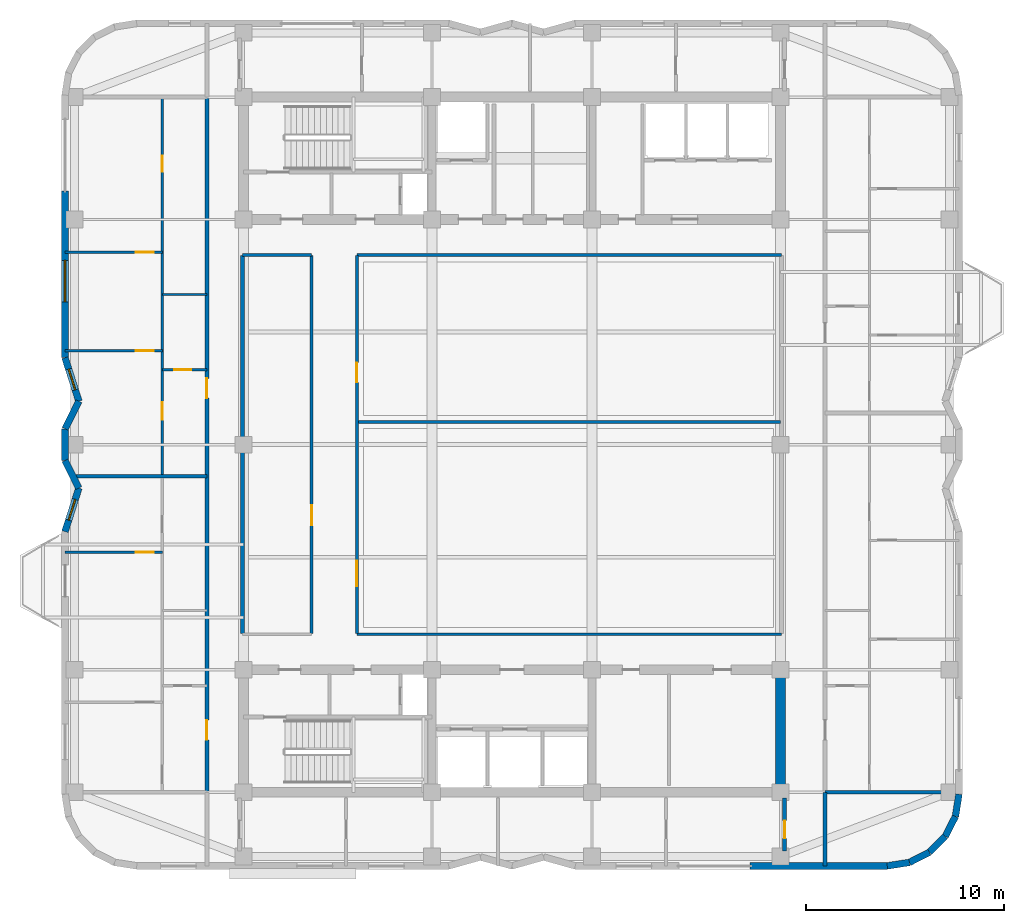
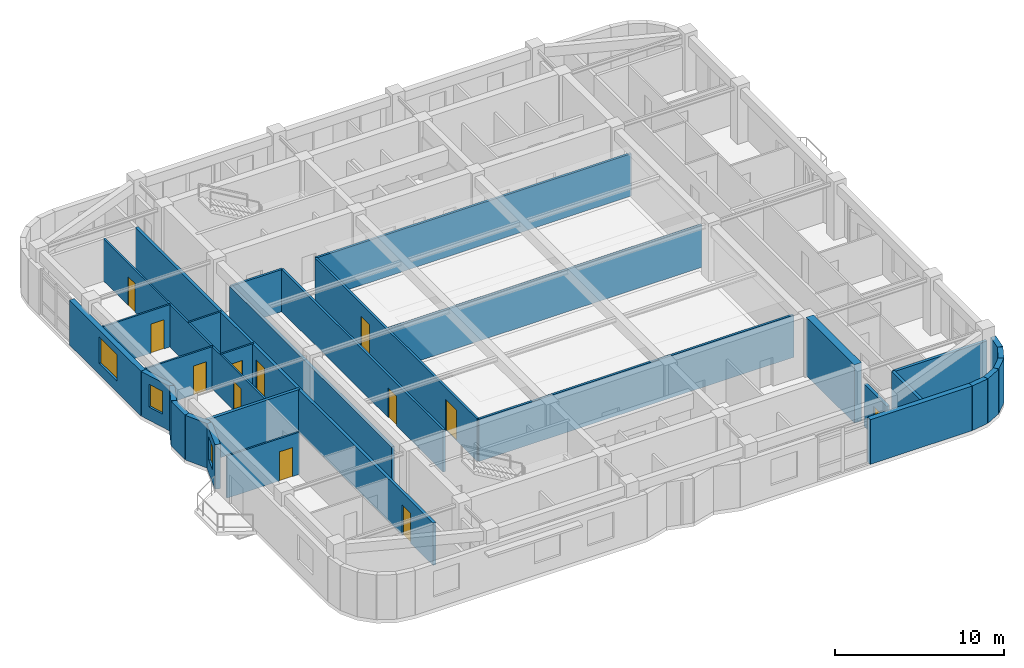
# One storey, part 6 of 11: 31 walls, 12 doors, 3 windows, 15 openings.
"""IFC4 building model written with IfcOpenShell, lengths in metres."""

from ifc_helpers import new_model, si_unit, direction, frame, frame_2d, origin, place, context, subcontext, project, spatial, rectangle, extrude, material, layer, layer_set, type_object, element, fill, save


model = new_model("IFC4")

# Units and contexts
model_context = context("Model", 3, precision=1e-05, world=origin(), true_north=direction((0.0, 1.0)))
body_context = subcontext(model_context, "Body", "Model", "MODEL_VIEW")
ifc_project = project(units=[si_unit("LENGTHUNIT", "METRE"), si_unit("AREAUNIT", "SQUARE_METRE"), si_unit("VOLUMEUNIT", "CUBIC_METRE"), si_unit("PLANEANGLEUNIT", "RADIAN"), si_unit("MASSUNIT", "GRAM", prefix="KILO")], contexts=[model_context])

# Site, building, storey
site_placement = place(None, origin())
site = spatial("IfcSite", under=ifc_project, at=site_placement, CompositionType="ELEMENT")
building_placement = place(site_placement, origin())
building = spatial("IfcBuilding", under=site, at=building_placement, Name="Svetorya Sky Lyceum", CompositionType="ELEMENT")
storey_placement = place(building_placement, frame((0.0, 0.0, 203.10009765625)))
storey = spatial("IfcBuildingStorey", under=building, at=storey_placement, Name="L50", CompositionType="ELEMENT", Elevation=203.10009765625)

# Walls
ifc_material_1 = material(Name="Concrete C50/60", Category="concrete")
ifc_layer_1 = layer(ifc_material_1, 0.5)
ifc_layer_set_1 = layer_set([ifc_layer_1], Name="Concrete C50/60")
wall_type_1 = type_object("IfcWallType", Name="WL-CORE-500", PredefinedType="SHEAR", material=ifc_layer_set_1)
wall_1_placement = place(storey_placement, frame((52.800048828125, 10.85009765625, 0.0), z_axis=(0.0, 0.0, 1.0), x_axis=(0.0, 1.0, 0.0)))
element("IfcWall", 1, at=wall_1_placement, inside=storey, type_object=wall_type_1, Name="L50 SC East Core Shear Wall", PredefinedType="SHEAR", context=body_context, shape_type="SweptSolid", body=[
    extrude(rectangle(XDim=5.699951171875, YDim=0.5, at=frame_2d((2.85009765625, 0.0))), origin(), (0.0, 0.0, 1.0), 4.199951171875),
])
ifc_material_2 = material(Name="Putilovo limestone rainscreen on autoclaved cellular masonry", Category="masonry")
ifc_layer_2 = layer(ifc_material_2, 0.340087890625)
ifc_layer_set_2 = layer_set([ifc_layer_2], Name="Putilovo limestone rainscreen on autoclaved cellular masonry")
wall_type_2 = type_object("IfcWallType", Name="WL-EXT-340", PredefinedType="SOLIDWALL", material=ifc_layer_set_2)
wall_2_placement = place(storey_placement, frame((51.25, 6.8701171875, 0.0), z_axis=(0.0, 0.0, 1.0), x_axis=(1.0, 0.0, 0.0)))
element("IfcWall", 2, at=wall_2_placement, inside=storey, type_object=wall_type_2, Name="L50 Limestone Exterior Wall 11B", PredefinedType="SOLIDWALL", context=body_context, shape_type="SweptSolid", body=[
    extrude(rectangle(XDim=6.949951171875, YDim=0.340087890625, at=frame_2d((3.47509765625, 0.0))), origin(), (0.0, 0.0, 1.0), 3.219970703125),
])
for number, where, z_axis, x_axis, name in (
    (3, (58.199951171875, 6.8701171875, 0.0), (0.0, 0.0, 1.0), (0.987714116584, 0.156271634985, 0.0), "L50 Limestone Exterior Wall 12M"),
    (4, (59.32177734375, 7.047607421875, 0.0), (0.0, 0.0, 1.0), (0.891005044957, 0.453993402883, 0.0), "L50 Limestone Exterior Wall 13M"),
):
    element("IfcWall", number, at=place(storey_placement, frame(where, z_axis=z_axis, x_axis=x_axis)), inside=storey, type_object=wall_type_2, Name=name, PredefinedType="SOLIDWALL", context=body_context, shape_type="SweptSolid", body=[
        extrude(rectangle(XDim=1.1357421875, YDim=0.340087890625, at=frame_2d((0.56787109375, 0.0))), origin(), (0.0, 0.0, 1.0), 3.219970703125),
    ])
wall_3_placement = place(storey_placement, frame((60.333740234375, 7.563232421875, 0.0), z_axis=(0.0, 0.0, 1.0), x_axis=(0.707106781187, 0.707106781187, 0.0)))
element("IfcWall", 5, at=wall_3_placement, inside=storey, type_object=wall_type_2, Name="L50 Limestone Exterior Wall 14M", PredefinedType="SOLIDWALL", context=body_context, shape_type="SweptSolid", body=[
    extrude(rectangle(XDim=1.135498046875, YDim=0.340087890625, at=frame_2d((0.56787109375, 0.0))), origin(), (0.0, 0.0, 1.0), 3.219970703125),
])
wall_4_placement = place(storey_placement, frame((61.13671875, 8.3662109375, 0.0), z_axis=(0.0, 0.0, 1.0), x_axis=(0.45390646422, 0.891049337433, 0.0)))
element("IfcWall", 6, at=wall_4_placement, inside=storey, type_object=wall_type_2, Name="L50 Limestone Exterior Wall 15M", PredefinedType="SOLIDWALL", context=body_context, shape_type="SweptSolid", body=[
    extrude(rectangle(XDim=1.135986328125, YDim=0.340087890625, at=frame_2d((0.56787109375, 0.0))), origin(), (0.0, 0.0, 1.0), 3.219970703125),
])
wall_5_placement = place(storey_placement, frame((61.65234375, 9.37841796875, 0.0), z_axis=(0.0, 0.0, 1.0), x_axis=(0.156514556949, 0.987675651954, 0.0)))
element("IfcWall", 7, at=wall_5_placement, inside=storey, type_object=wall_type_2, Name="L50 Limestone Exterior Wall 16M", PredefinedType="SOLIDWALL", context=body_context, shape_type="SweptSolid", body=[
    extrude(rectangle(XDim=1.135498046875, YDim=0.340087890625, at=frame_2d((0.56787109375, 0.0))), origin(), (0.0, 0.0, 1.0), 3.219970703125),
])

# Wall, opening, window
wall_6_placement = place(storey_placement, frame((16.570068359375, 41.050048828125, 0.0), z_axis=(0.0, 0.0, 1.0), x_axis=(0.0, -1.0, 0.0)))
wall_6 = element("IfcWall", 8, at=wall_6_placement, inside=storey, type_object=wall_type_2, Name="L50 Limestone Exterior Wall 40B", PredefinedType="SOLIDWALL", context=body_context, shape_type="SweptSolid", body=[
    extrude(rectangle(XDim=8.449951171875, YDim=0.340087890625, at=frame_2d((4.22509765625, 0.0))), origin(), (0.0, 0.0, 1.0), 3.219970703125),
])
opening_1_placement = place(wall_6_placement, frame((3.52490234375, 0.0, 0.800048828125)))
opening_1 = element("IfcOpeningElement", 9, at=opening_1_placement, cuts=wall_6, Name="Opening W-R0", PredefinedType="OPENING", context=body_context, shape_type="SweptSolid", body=[
    extrude(rectangle(XDim=2.10009765625, YDim=1.89990234375, at=frame_2d((1.050048828125, 0.949951171875))), frame((0.0, 0.179931640625, 0.0), z_axis=(0.0, -1.0, 0.0), x_axis=(1.0, 0.0, 0.0)), (0.0, 0.0, 1.0), 0.360107421875),
])
ifc_material_3 = material(Name="Thermally broken aluminium frame with triple low-E glazing", Category="aluminium")
window_type_1 = type_object("IfcWindowType", Name="WN-RES-210", PartitioningType="TRIPLE_PANEL_VERTICAL", PredefinedType="WINDOW", material=ifc_material_3)
window_1_placement = place(opening_1_placement, origin())
window_1 = element("IfcWindow", 10, at=window_1_placement, inside=storey, type_object=window_type_1, Name="L50 Facade Window W-R0.40B.1", OverallHeight=1.89990234375, OverallWidth=2.10009765625, PartitioningType="SINGLE_PANEL", PredefinedType="WINDOW", context=body_context, shape_type="SweptSolid", body=[
    extrude(rectangle(XDim=2.10009765625, YDim=1.89990234375, at=frame_2d((1.050048828125, 0.949951171875))), frame((0.0, 0.030029296875, 0.0), z_axis=(0.0, -1.0, 0.0), x_axis=(1.0, 0.0, 0.0)), (0.0, 0.0, 1.0), 0.06005859375),
])
fill(opening_1, window_1)

wall_7_placement = place(storey_placement, frame((16.570068359375, 32.60009765625, 0.0), z_axis=(0.0, 0.0, 1.0), x_axis=(0.303160011437, -0.952939666225, 0.0)))
wall_7 = element("IfcWall", 11, at=wall_7_placement, inside=storey, type_object=wall_type_2, Name="L50 Limestone Exterior Wall 41M", PredefinedType="SOLIDWALL", context=body_context, shape_type="SweptSolid", body=[
    extrude(rectangle(XDim=2.308837890625, YDim=0.340087890625, at=frame_2d((1.154296875, 0.0))), origin(), (0.0, 0.0, 1.0), 3.219970703125),
])
opening_2_placement = place(wall_7_placement, frame((0.604248046875, 0.0, 0.949951171875)))
opening_2 = element("IfcOpeningElement", 12, at=opening_2_placement, cuts=wall_7, Name="Opening W-R3", PredefinedType="OPENING", context=body_context, shape_type="SweptSolid", body=[
    extrude(rectangle(XDim=1.10009765625, YDim=1.64990234375, at=frame_2d((0.550048828125, 0.824951171875))), frame((0.0, 0.179931640625, 0.0), z_axis=(0.0, -1.0, 0.0), x_axis=(1.0, 0.0, 0.0)), (0.0, 0.0, 1.0), 0.360107421875),
])
window_type_2 = type_object("IfcWindowType", Name="WN-RES-110", PartitioningType="SINGLE_PANEL", PredefinedType="WINDOW", material=ifc_material_3)
window_2_placement = place(opening_2_placement, origin())
window_2 = element("IfcWindow", 13, at=window_2_placement, inside=storey, type_object=window_type_2, Name="L50 Facade Window W-R3.41M.1", OverallHeight=1.64990234375, OverallWidth=1.10009765625, PartitioningType="SINGLE_PANEL", PredefinedType="WINDOW", context=body_context, shape_type="SweptSolid", body=[
    extrude(rectangle(XDim=1.10009765625, YDim=1.64990234375, at=frame_2d((0.550048828125, 0.824951171875))), frame((0.0, 0.030029296875, 0.0), z_axis=(0.0, -1.0, 0.0), x_axis=(1.0, 0.0, 0.0)), (0.0, 0.0, 1.0), 0.06005859375),
])
fill(opening_2, window_2)

# Walls
wall_8_placement = place(storey_placement, frame((17.27001953125, 30.39990234375, 0.0), z_axis=(0.0, 0.0, 1.0), x_axis=(-0.4472135955, -0.894427191, 0.0)))
element("IfcWall", 14, at=wall_8_placement, inside=storey, type_object=wall_type_2, Name="L50 Limestone Exterior Wall 42M", PredefinedType="SOLIDWALL", context=body_context, shape_type="SweptSolid", body=[
    extrude(rectangle(XDim=1.565185546875, YDim=0.340087890625, at=frame_2d((0.78271484375, 0.0))), origin(), (0.0, 0.0, 1.0), 3.219970703125),
])
wall_9_placement = place(storey_placement, frame((16.570068359375, 29.0, 0.0), z_axis=(0.0, 0.0, 1.0), x_axis=(0.0, -1.0, 0.0)))
element("IfcWall", 15, at=wall_9_placement, inside=storey, type_object=wall_type_2, Name="L50 Limestone Exterior Wall 43M", PredefinedType="SOLIDWALL", context=body_context, shape_type="SweptSolid", body=[
    extrude(rectangle(XDim=1.60009765625, YDim=0.340087890625, at=frame_2d((0.800048828125, 0.0))), origin(), (0.0, 0.0, 1.0), 3.219970703125),
])
wall_10_placement = place(storey_placement, frame((16.570068359375, 27.39990234375, 0.0), z_axis=(0.0, 0.0, 1.0), x_axis=(0.4472135955, -0.894427191, 0.0)))
element("IfcWall", 16, at=wall_10_placement, inside=storey, type_object=wall_type_2, Name="L50 Limestone Exterior Wall 44M", PredefinedType="SOLIDWALL", context=body_context, shape_type="SweptSolid", body=[
    extrude(rectangle(XDim=1.565185546875, YDim=0.340087890625, at=frame_2d((0.78271484375, 0.0))), origin(), (0.0, 0.0, 1.0), 3.219970703125),
])

# Wall, opening, window
wall_11_placement = place(storey_placement, frame((17.27001953125, 26.0, 0.0), z_axis=(0.0, 0.0, 1.0), x_axis=(-0.303190562272, -0.952929946507, 0.0)))
wall_11 = element("IfcWall", 17, at=wall_11_placement, inside=storey, type_object=wall_type_2, Name="L50 Limestone Exterior Wall 45M", PredefinedType="SOLIDWALL", context=body_context, shape_type="SweptSolid", body=[
    extrude(rectangle(XDim=2.30859375, YDim=0.340087890625, at=frame_2d((1.154296875, 0.0))), origin(), (0.0, 0.0, 1.0), 3.219970703125),
])
opening_3_placement = place(wall_11_placement, frame((0.604248046875, 0.0, 0.949951171875)))
opening_3 = element("IfcOpeningElement", 18, at=opening_3_placement, cuts=wall_11, Name="Opening W-R3", PredefinedType="OPENING", context=body_context, shape_type="SweptSolid", body=[
    extrude(rectangle(XDim=1.10009765625, YDim=1.64990234375, at=frame_2d((0.550048828125, 0.824951171875))), frame((0.0, 0.179931640625, 0.0), z_axis=(0.0, -1.0, 0.0), x_axis=(1.0, 0.0, 0.0)), (0.0, 0.0, 1.0), 0.360107421875),
])
window_3_placement = place(opening_3_placement, origin())
window_3 = element("IfcWindow", 19, at=window_3_placement, inside=storey, type_object=window_type_2, Name="L50 Facade Window W-R3.45M.1", OverallHeight=1.64990234375, OverallWidth=1.10009765625, PartitioningType="SINGLE_PANEL", PredefinedType="WINDOW", context=body_context, shape_type="SweptSolid", body=[
    extrude(rectangle(XDim=1.10009765625, YDim=1.64990234375, at=frame_2d((0.550048828125, 0.824951171875))), frame((0.0, 0.030029296875, 0.0), z_axis=(0.0, -1.0, 0.0), x_axis=(1.0, 0.0, 0.0)), (0.0, 0.0, 1.0), 0.06005859375),
])
fill(opening_3, window_3)

# Wall, opening, door
ifc_material_4 = material(Name="Twin-stud galvanized framing with double fireboard", Category="gypsum")
ifc_layer_3 = layer(ifc_material_4, 0.1201171875)
ifc_layer_set_3 = layer_set([ifc_layer_3], Name="Twin-stud galvanized framing with double fireboard")
wall_type_3 = type_object("IfcWallType", Name="WL-PART-120", PredefinedType="PARTITIONING", material=ifc_layer_set_3)
wall_12_placement = place(storey_placement, frame((16.570068359375, 22.75, 0.0), z_axis=(0.0, 0.0, 1.0), x_axis=(1.0, 0.0, 0.0)))
wall_12 = element("IfcWall", 20, at=wall_12_placement, inside=storey, type_object=wall_type_3, Name="L50 Interior Partition W1-WL2", PredefinedType="PARTITIONING", context=body_context, shape_type="SweptSolid", body=[
    extrude(rectangle(XDim=4.929931640625, YDim=0.1201171875, at=frame_2d((2.46484375, 0.0))), origin(), (0.0, 0.0, 1.0), 3.0498046875),
])
opening_4_placement = place(wall_12_placement, frame((3.580078125, 0.0, 0.0)))
opening_4 = element("IfcOpeningElement", 21, at=opening_4_placement, cuts=wall_12, Name="Opening D-RM1", PredefinedType="OPENING", context=body_context, shape_type="SweptSolid", body=[
    extrude(rectangle(XDim=0.89990234375, YDim=2.10009765625, at=frame_2d((0.449951171875, 1.050048828125))), frame((0.0, 0.070068359375, 0.0), z_axis=(0.0, -1.0, 0.0), x_axis=(1.0, 0.0, 0.0)), (0.0, 0.0, 1.0), 0.14013671875),
])
ifc_material_5 = material(Name="Lacquered birch veneer internal door")
door_type_1 = type_object("IfcDoorType", Name="DR-INT-900", OperationType="SINGLE_SWING_LEFT", PredefinedType="DOOR", material=ifc_material_5)
door_1_placement = place(opening_4_placement, origin())
door_1 = element("IfcDoor", 22, at=door_1_placement, inside=storey, type_object=door_type_1, Name="Apartment W1 Bedroom 2 Door", OperationType="SINGLE_SWING_RIGHT", OverallHeight=2.10009765625, OverallWidth=0.89990234375, PredefinedType="DOOR", context=body_context, shape_type="SweptSolid", body=[
    extrude(rectangle(XDim=0.89990234375, YDim=2.10009765625, at=frame_2d((0.449951171875, 1.050048828125))), frame((0.0, 0.02490234375, 0.0), z_axis=(0.0, -1.0, 0.0), x_axis=(1.0, 0.0, 0.0)), (0.0, 0.0, 1.0), 0.050048828125),
])
fill(opening_4, door_1)

wall_13_placement = place(storey_placement, frame((21.5, 32.0, 0.0), z_axis=(0.0, 0.0, 1.0), x_axis=(1.0, 0.0, 0.0)))
wall_13 = element("IfcWall", 23, at=wall_13_placement, inside=storey, type_object=wall_type_3, Name="L50 Interior Partition W2-WH1", PredefinedType="PARTITIONING", context=body_context, shape_type="SweptSolid", body=[
    extrude(rectangle(XDim=2.25, YDim=0.1201171875, at=frame_2d((1.125, 0.0))), origin(), (0.0, 0.0, 1.0), 3.0498046875),
])
opening_5_placement = place(wall_13_placement, frame((0.60009765625, 0.0, 0.0)))
opening_5 = element("IfcOpeningElement", 24, at=opening_5_placement, cuts=wall_13, Name="Opening D-BT1", PredefinedType="OPENING", context=body_context, shape_type="SweptSolid", body=[
    extrude(rectangle(XDim=0.85009765625, YDim=2.10009765625, at=frame_2d((0.425048828125, 1.050048828125))), frame((0.0, 0.070068359375, 0.0), z_axis=(0.0, -1.0, 0.0), x_axis=(1.0, 0.0, 0.0)), (0.0, 0.0, 1.0), 0.14013671875),
])
ifc_material_6 = material(Name="Moisture-resistant laminate bathroom door")
door_type_2 = type_object("IfcDoorType", Name="DR-WET-850", OperationType="SINGLE_SWING_LEFT", PredefinedType="DOOR", material=ifc_material_6)
door_2_placement = place(opening_5_placement, origin())
door_2 = element("IfcDoor", 25, at=door_2_placement, inside=storey, type_object=door_type_2, Name="Apartment W2 Bathroom Door", OperationType="SINGLE_SWING_RIGHT", OverallHeight=2.10009765625, OverallWidth=0.85009765625, PredefinedType="DOOR", context=body_context, shape_type="SweptSolid", body=[
    extrude(rectangle(XDim=0.85009765625, YDim=2.10009765625, at=frame_2d((0.425048828125, 1.050048828125))), frame((0.0, 0.02490234375, 0.0), z_axis=(0.0, -1.0, 0.0), x_axis=(1.0, 0.0, 0.0)), (0.0, 0.0, 1.0), 0.050048828125),
])
fill(opening_5, door_2)

# Wall
wall_14_placement = place(storey_placement, frame((21.5, 35.800048828125, 0.0), z_axis=(0.0, 0.0, 1.0), x_axis=(1.0, 0.0, 0.0)))
element("IfcWall", 26, at=wall_14_placement, inside=storey, type_object=wall_type_3, Name="L50 Interior Partition W2-WH2", PredefinedType="PARTITIONING", context=body_context, shape_type="SweptSolid", body=[
    extrude(rectangle(XDim=2.25, YDim=0.1201171875, at=frame_2d((1.125, 0.0))), origin(), (0.0, 0.0, 1.0), 3.0498046875),
])

# Wall, opening, door
wall_15_placement = place(storey_placement, frame((16.570068359375, 32.949951171875, 0.0), z_axis=(0.0, 0.0, 1.0), x_axis=(1.0, 0.0, 0.0)))
wall_15 = element("IfcWall", 27, at=wall_15_placement, inside=storey, type_object=wall_type_3, Name="L50 Interior Partition W2-WL1", PredefinedType="PARTITIONING", context=body_context, shape_type="SweptSolid", body=[
    extrude(rectangle(XDim=4.929931640625, YDim=0.1201171875, at=frame_2d((2.46484375, 0.0))), origin(), (0.0, 0.0, 1.0), 3.0498046875),
])
opening_6_placement = place(wall_15_placement, frame((3.580078125, 0.0, 0.0)))
opening_6 = element("IfcOpeningElement", 28, at=opening_6_placement, cuts=wall_15, Name="Opening D-RM1", PredefinedType="OPENING", context=body_context, shape_type="SweptSolid", body=[
    extrude(rectangle(XDim=0.89990234375, YDim=2.10009765625, at=frame_2d((0.449951171875, 1.050048828125))), frame((0.0, 0.070068359375, 0.0), z_axis=(0.0, -1.0, 0.0), x_axis=(1.0, 0.0, 0.0)), (0.0, 0.0, 1.0), 0.14013671875),
])
door_3_placement = place(opening_6_placement, origin())
door_3 = element("IfcDoor", 29, at=door_3_placement, inside=storey, type_object=door_type_1, Name="Apartment W2 Master Bedroom Door", OperationType="SINGLE_SWING_RIGHT", OverallHeight=2.10009765625, OverallWidth=0.89990234375, PredefinedType="DOOR", context=body_context, shape_type="SweptSolid", body=[
    extrude(rectangle(XDim=0.89990234375, YDim=2.10009765625, at=frame_2d((0.449951171875, 1.050048828125))), frame((0.0, 0.02490234375, 0.0), z_axis=(0.0, -1.0, 0.0), x_axis=(1.0, 0.0, 0.0)), (0.0, 0.0, 1.0), 0.050048828125),
])
fill(opening_6, door_3)

wall_16_placement = place(storey_placement, frame((16.570068359375, 37.949951171875, 0.0), z_axis=(0.0, 0.0, 1.0), x_axis=(1.0, 0.0, 0.0)))
wall_16 = element("IfcWall", 30, at=wall_16_placement, inside=storey, type_object=wall_type_3, Name="L50 Interior Partition W2-WL2", PredefinedType="PARTITIONING", context=body_context, shape_type="SweptSolid", body=[
    extrude(rectangle(XDim=4.929931640625, YDim=0.1201171875, at=frame_2d((2.46484375, 0.0))), origin(), (0.0, 0.0, 1.0), 3.0498046875),
])
opening_7_placement = place(wall_16_placement, frame((3.580078125, 0.0, 0.0)))
opening_7 = element("IfcOpeningElement", 31, at=opening_7_placement, cuts=wall_16, Name="Opening D-RM1", PredefinedType="OPENING", context=body_context, shape_type="SweptSolid", body=[
    extrude(rectangle(XDim=0.89990234375, YDim=2.10009765625, at=frame_2d((0.449951171875, 1.050048828125))), frame((0.0, 0.070068359375, 0.0), z_axis=(0.0, -1.0, 0.0), x_axis=(1.0, 0.0, 0.0)), (0.0, 0.0, 1.0), 0.14013671875),
])
door_4_placement = place(opening_7_placement, origin())
door_4 = element("IfcDoor", 32, at=door_4_placement, inside=storey, type_object=door_type_1, Name="Apartment W2 Bedroom 2 Door", OperationType="SINGLE_SWING_LEFT", OverallHeight=2.10009765625, OverallWidth=0.89990234375, PredefinedType="DOOR", context=body_context, shape_type="SweptSolid", body=[
    extrude(rectangle(XDim=0.89990234375, YDim=2.10009765625, at=frame_2d((0.449951171875, 1.050048828125))), frame((0.0, 0.02490234375, 0.0), z_axis=(0.0, -1.0, 0.0), x_axis=(1.0, 0.0, 0.0)), (0.0, 0.0, 1.0), 0.050048828125),
])
fill(opening_7, door_4)

# Wall, openings, doors
wall_17_placement = place(storey_placement, frame((21.5, 26.639892578125, 0.0), z_axis=(0.0, 0.0, 1.0), x_axis=(0.0, 1.0, 0.0)))
wall_17 = element("IfcWall", 33, at=wall_17_placement, inside=storey, type_object=wall_type_3, Name="L50 Interior Partition W2-WV", PredefinedType="PARTITIONING", context=body_context, shape_type="SweptSolid", body=[
    extrude(rectangle(XDim=19.1201171875, YDim=0.1201171875, at=frame_2d((9.56005859375, 0.0))), origin(), (0.0, 0.0, 1.0), 3.0498046875),
])
opening_8_placement = place(wall_17_placement, frame((2.81005859375, 0.0, 0.0)))
opening_8 = element("IfcOpeningElement", 34, at=opening_8_placement, cuts=wall_17, Name="Opening D-RM1", PredefinedType="OPENING", context=body_context, shape_type="SweptSolid", body=[
    extrude(rectangle(XDim=0.89990234375, YDim=2.10009765625, at=frame_2d((0.449951171875, 1.050048828125))), frame((0.0, 0.070068359375, 0.0), z_axis=(0.0, -1.0, 0.0), x_axis=(1.0, 0.0, 0.0)), (0.0, 0.0, 1.0), 0.14013671875),
])
opening_9_placement = place(wall_17_placement, frame((15.364990234375, 0.0, 0.0)))
opening_9 = element("IfcOpeningElement", 35, at=opening_9_placement, cuts=wall_17, Name="Opening D-BT2", PredefinedType="OPENING", context=body_context, shape_type="SweptSolid", body=[
    extrude(rectangle(XDim=0.820068359375, YDim=2.080078125, at=frame_2d((0.41015625, 1.0400390625))), frame((0.0, 0.070068359375, 0.0), z_axis=(0.0, -1.0, 0.0), x_axis=(1.0, 0.0, 0.0)), (0.0, 0.0, 1.0), 0.14013671875),
])
door_5_placement = place(opening_8_placement, origin())
door_5 = element("IfcDoor", 36, at=door_5_placement, inside=storey, type_object=door_type_1, Name="Apartment W2 Living Door", OperationType="SINGLE_SWING_LEFT", OverallHeight=2.10009765625, OverallWidth=0.89990234375, PredefinedType="DOOR", context=body_context, shape_type="SweptSolid", body=[
    extrude(rectangle(XDim=0.89990234375, YDim=2.10009765625, at=frame_2d((0.449951171875, 1.050048828125))), frame((0.0, 0.02490234375, 0.0), z_axis=(0.0, -1.0, 0.0), x_axis=(1.0, 0.0, 0.0)), (0.0, 0.0, 1.0), 0.050048828125),
])
fill(opening_8, door_5)
ifc_material_7 = material(Name="Compact moisture-resistant laminate closet door")
door_type_3 = type_object("IfcDoorType", Name="DR-WET-820", OperationType="SINGLE_SWING_LEFT", PredefinedType="DOOR", material=ifc_material_7)
door_6_placement = place(opening_9_placement, origin())
door_6 = element("IfcDoor", 37, at=door_6_placement, inside=storey, type_object=door_type_3, Name="Apartment W2 Study Door", OperationType="SINGLE_SWING_RIGHT", OverallHeight=2.080078125, OverallWidth=0.820068359375, PredefinedType="DOOR", context=body_context, shape_type="SweptSolid", body=[
    extrude(rectangle(XDim=0.820068359375, YDim=2.080078125, at=frame_2d((0.41015625, 1.0400390625))), frame((0.0, 0.02490234375, 0.0), z_axis=(0.0, -1.0, 0.0), x_axis=(1.0, 0.0, 0.0)), (0.0, 0.0, 1.0), 0.050048828125),
])
fill(opening_9, door_6)

# Walls
ifc_material_8 = material(Name="Autoclaved cellular masonry blockwork with acoustic render", Category="masonry")
ifc_layer_4 = layer(ifc_material_8, 0.14990234375)
ifc_layer_set_4 = layer_set([ifc_layer_4], Name="Autoclaved cellular masonry blockwork with acoustic render")
wall_type_4 = type_object("IfcWallType", Name="WL-PART-150", PredefinedType="PARTITIONING", material=ifc_layer_set_4)
wall_18_placement = place(storey_placement, frame((31.35009765625, 18.60009765625, 0.0), z_axis=(0.0, 0.0, 1.0), x_axis=(1.0, 0.0, 0.0)))
element("IfcWall", 38, at=wall_18_placement, inside=storey, type_object=wall_type_4, Name="L50 Interior Partition OFF-CS-E", PredefinedType="PARTITIONING", context=body_context, shape_type="SweptSolid", body=[
    extrude(rectangle(XDim=21.5, YDim=0.14990234375, at=frame_2d((10.75, 0.0))), origin(), (0.0, 0.0, 1.0), 3.0498046875),
])
wall_19_placement = place(storey_placement, frame((25.550048828125, 37.800048828125, 0.0), z_axis=(0.0, 0.0, 1.0), x_axis=(1.0, 0.0, 0.0)))
element("IfcWall", 39, at=wall_19_placement, inside=storey, type_object=wall_type_4, Name="L50 Interior Partition OFF-CN-W", PredefinedType="PARTITIONING", context=body_context, shape_type="SweptSolid", body=[
    extrude(rectangle(XDim=3.5, YDim=0.14990234375, at=frame_2d((1.75, 0.0))), origin(), (0.0, 0.0, 1.0), 3.0498046875),
])
wall_20_placement = place(storey_placement, frame((31.35009765625, 37.800048828125, 0.0), z_axis=(0.0, 0.0, 1.0), x_axis=(1.0, 0.0, 0.0)))
element("IfcWall", 40, at=wall_20_placement, inside=storey, type_object=wall_type_4, Name="L50 Interior Partition OFF-CN-E", PredefinedType="PARTITIONING", context=body_context, shape_type="SweptSolid", body=[
    extrude(rectangle(XDim=21.5, YDim=0.14990234375, at=frame_2d((10.75, 0.0))), origin(), (0.0, 0.0, 1.0), 3.0498046875),
])
wall_21_placement = place(storey_placement, frame((31.3798828125, 29.348388671875, 0.0), z_axis=(0.0, 0.0, 1.0), x_axis=(1.0, 0.0, 0.0)))
element("IfcWall", 41, at=wall_21_placement, inside=storey, type_object=wall_type_4, Name="L50 Interior Partition OFF-HE", PredefinedType="PARTITIONING", context=body_context, shape_type="SweptSolid", body=[
    extrude(rectangle(XDim=21.420166015625, YDim=0.14990234375, at=frame_2d((10.7099609375, 0.0))), origin(), (0.0, 0.0, 1.0), 3.0498046875),
])

# Wall, opening, door
wall_22_placement = place(storey_placement, frame((29.050048828125, 18.6298828125, 0.0), z_axis=(0.0, 0.0, 1.0), x_axis=(0.0, 1.0, 0.0)))
wall_22 = element("IfcWall", 42, at=wall_22_placement, inside=storey, type_object=wall_type_4, Name="L50 Interior Partition OFF-VW", PredefinedType="PARTITIONING", context=body_context, shape_type="SweptSolid", body=[
    extrude(rectangle(XDim=19.14013671875, YDim=0.14990234375, at=frame_2d((9.570068359375, 0.0))), origin(), (0.0, 0.0, 1.0), 3.0498046875),
])
opening_10_placement = place(wall_22_placement, frame((5.5, 0.0, 0.0)))
opening_10 = element("IfcOpeningElement", 43, at=opening_10_placement, cuts=wall_22, Name="Opening D-RM2", PredefinedType="OPENING", context=body_context, shape_type="SweptSolid", body=[
    extrude(rectangle(XDim=1.0, YDim=2.14990234375, at=frame_2d((0.5, 1.074951171875))), frame((0.0, 0.0849609375, 0.0), z_axis=(0.0, -1.0, 0.0), x_axis=(1.0, 0.0, 0.0)), (0.0, 0.0, 1.0), 0.169921875),
])
ifc_material_9 = material(Name="Solid-core oak acoustic room door")
door_type_4 = type_object("IfcDoorType", Name="DR-INT-1000", OperationType="SINGLE_SWING_LEFT", PredefinedType="DOOR", material=ifc_material_9)
door_7_placement = place(opening_10_placement, origin())
door_7 = element("IfcDoor", 44, at=door_7_placement, inside=storey, type_object=door_type_4, Name="L50 West Office Door", OperationType="SINGLE_SWING_LEFT", OverallHeight=2.14990234375, OverallWidth=1.0, PredefinedType="DOOR", context=body_context, shape_type="SweptSolid", body=[
    extrude(rectangle(XDim=1.0, YDim=2.14990234375, at=frame_2d((0.5, 1.074951171875))), frame((0.0, 0.02490234375, 0.0), z_axis=(0.0, -1.0, 0.0), x_axis=(1.0, 0.0, 0.0)), (0.0, 0.0, 1.0), 0.050048828125),
])
fill(opening_10, door_7)

# Wall, openings, doors
wall_23_placement = place(storey_placement, frame((31.35009765625, 18.6298828125, 0.0), z_axis=(0.0, 0.0, 1.0), x_axis=(0.0, 1.0, 0.0)))
wall_23 = element("IfcWall", 45, at=wall_23_placement, inside=storey, type_object=wall_type_4, Name="L50 Interior Partition OFF-VE", PredefinedType="PARTITIONING", context=body_context, shape_type="SweptSolid", body=[
    extrude(rectangle(XDim=19.14013671875, YDim=0.14990234375, at=frame_2d((9.570068359375, 0.0))), origin(), (0.0, 0.0, 1.0), 3.0498046875),
])
opening_11_placement = place(wall_23_placement, frame((2.39990234375, 0.0, 0.0)))
opening_11 = element("IfcOpeningElement", 46, at=opening_11_placement, cuts=wall_23, Name="Opening D-LB1", PredefinedType="OPENING", context=body_context, shape_type="SweptSolid", body=[
    extrude(rectangle(XDim=1.300048828125, YDim=2.199951171875, at=frame_2d((0.64990234375, 1.10009765625))), frame((0.0, 0.0849609375, 0.0), z_axis=(0.0, -1.0, 0.0), x_axis=(1.0, 0.0, 0.0)), (0.0, 0.0, 1.0), 0.169921875),
])
opening_12_placement = place(wall_23_placement, frame((12.718505859375, 0.0, 0.0)))
opening_12 = element("IfcOpeningElement", 47, at=opening_12_placement, cuts=wall_23, Name="Opening D-RM2", PredefinedType="OPENING", context=body_context, shape_type="SweptSolid", body=[
    extrude(rectangle(XDim=1.0, YDim=2.14990234375, at=frame_2d((0.5, 1.074951171875))), frame((0.0, 0.0849609375, 0.0), z_axis=(0.0, -1.0, 0.0), x_axis=(1.0, 0.0, 0.0)), (0.0, 0.0, 1.0), 0.169921875),
])
door_8_placement = place(opening_12_placement, origin())
door_8 = element("IfcDoor", 48, at=door_8_placement, inside=storey, type_object=door_type_4, Name="L50 Lounge Door", OperationType="SINGLE_SWING_LEFT", OverallHeight=2.14990234375, OverallWidth=1.0, PredefinedType="DOOR", context=body_context, shape_type="SweptSolid", body=[
    extrude(rectangle(XDim=1.0, YDim=2.14990234375, at=frame_2d((0.5, 1.074951171875))), frame((0.0, 0.02490234375, 0.0), z_axis=(0.0, -1.0, 0.0), x_axis=(1.0, 0.0, 0.0)), (0.0, 0.0, 1.0), 0.050048828125),
])
fill(opening_12, door_8)
ifc_material_10 = material(Name="Glazed fire-rated aluminium lobby door", Category="aluminium")
door_type_5 = type_object("IfcDoorType", Name="DR-LOB-1300", OperationType="SINGLE_SWING_LEFT", PredefinedType="DOOR", material=ifc_material_10)
door_9_placement = place(opening_11_placement, origin())
door_9 = element("IfcDoor", 49, at=door_9_placement, inside=storey, type_object=door_type_5, Name="L50 Sky Hall Door", OperationType="SINGLE_SWING_RIGHT", OverallHeight=2.199951171875, OverallWidth=1.300048828125, PredefinedType="DOOR", context=body_context, shape_type="SweptSolid", body=[
    extrude(rectangle(XDim=1.300048828125, YDim=2.199951171875, at=frame_2d((0.64990234375, 1.10009765625))), frame((0.0, 0.02490234375, 0.0), z_axis=(0.0, -1.0, 0.0), x_axis=(1.0, 0.0, 0.0)), (0.0, 0.0, 1.0), 0.050048828125),
])
fill(opening_11, door_9)

# Walls
ifc_material_11 = material(Name="Autoclaved cellular masonry blockwork with gypsum plaster", Category="masonry")
ifc_layer_5 = layer(ifc_material_11, 0.199951171875)
ifc_layer_set_5 = layer_set([ifc_layer_5], Name="Autoclaved cellular masonry blockwork with gypsum plaster")
wall_type_5 = type_object("IfcWallType", Name="WL-PART-200", PredefinedType="PARTITIONING", material=ifc_layer_set_5)
wall_24_placement = place(storey_placement, frame((25.550048828125, 18.6298828125, 0.0), z_axis=(0.0, 0.0, 1.0), x_axis=(0.0, 1.0, 0.0)))
element("IfcWall", 50, at=wall_24_placement, inside=storey, type_object=wall_type_5, Name="L50 Interior Partition W-CEN-SEP", PredefinedType="PARTITIONING", context=body_context, shape_type="SweptSolid", body=[
    extrude(rectangle(XDim=19.14013671875, YDim=0.199951171875, at=frame_2d((9.570068359375, 0.0))), origin(), (0.0, 0.0, 1.0), 3.0498046875),
])
wall_25_placement = place(storey_placement, frame((16.969970703125, 26.60009765625, 0.0), z_axis=(0.0, 0.0, 1.0), x_axis=(1.0, 0.0, 0.0)))
element("IfcWall", 51, at=wall_25_placement, inside=storey, type_object=wall_type_5, Name="L50 Interior Partition W-PARTY-1", PredefinedType="PARTITIONING", context=body_context, shape_type="SweptSolid", body=[
    extrude(rectangle(XDim=6.780029296875, YDim=0.199951171875, at=frame_2d((3.39013671875, 0.0))), origin(), (0.0, 0.0, 1.0), 3.0498046875),
])

# Wall, openings, doors
wall_26_placement = place(storey_placement, frame((23.75, 10.60009765625, 0.0), z_axis=(0.0, 0.0, 1.0), x_axis=(0.0, 1.0, 0.0)))
wall_26 = element("IfcWall", 52, at=wall_26_placement, inside=storey, type_object=wall_type_5, Name="L50 Interior Partition W-CORRW", PredefinedType="PARTITIONING", context=body_context, shape_type="SweptSolid", body=[
    extrude(rectangle(XDim=35.199951171875, YDim=0.199951171875, at=frame_2d((17.60009765625, 0.0))), origin(), (0.0, 0.0, 1.0), 3.0498046875),
])
opening_13_placement = place(wall_26_placement, frame((2.64990234375, 0.0, 0.0)))
opening_13 = element("IfcOpeningElement", 53, at=opening_13_placement, cuts=wall_26, Name="Opening D-APT1", PredefinedType="OPENING", context=body_context, shape_type="SweptSolid", body=[
    extrude(rectangle(XDim=1.0, YDim=2.14990234375, at=frame_2d((0.5, 1.074951171875))), frame((0.0, 0.10986328125, 0.0), z_axis=(0.0, -1.0, 0.0), x_axis=(1.0, 0.0, 0.0)), (0.0, 0.0, 1.0), 0.219970703125),
])
opening_14_placement = place(wall_26_placement, frame((19.949951171875, 0.0, 0.0)))
opening_14 = element("IfcOpeningElement", 54, at=opening_14_placement, cuts=wall_26, Name="Opening D-APT1", PredefinedType="OPENING", context=body_context, shape_type="SweptSolid", body=[
    extrude(rectangle(XDim=1.0, YDim=2.14990234375, at=frame_2d((0.5, 1.074951171875))), frame((0.0, 0.10986328125, 0.0), z_axis=(0.0, -1.0, 0.0), x_axis=(1.0, 0.0, 0.0)), (0.0, 0.0, 1.0), 0.219970703125),
])
ifc_material_12 = material(Name="Insulated oak-veneered apartment entrance door")
door_type_6 = type_object("IfcDoorType", Name="DR-APT-1000", OperationType="SINGLE_SWING_LEFT", PredefinedType="DOOR", material=ifc_material_12)
door_10_placement = place(opening_13_placement, origin())
door_10 = element("IfcDoor", 55, at=door_10_placement, inside=storey, type_object=door_type_6, Name="L50 Apartment W1 Entrance Door", OperationType="SINGLE_SWING_LEFT", OverallHeight=2.14990234375, OverallWidth=1.0, PredefinedType="DOOR", context=body_context, shape_type="SweptSolid", body=[
    extrude(rectangle(XDim=1.0, YDim=2.14990234375, at=frame_2d((0.5, 1.074951171875))), frame((0.0, 0.02490234375, 0.0), z_axis=(0.0, -1.0, 0.0), x_axis=(1.0, 0.0, 0.0)), (0.0, 0.0, 1.0), 0.050048828125),
])
fill(opening_13, door_10)
door_11_placement = place(opening_14_placement, origin())
door_11 = element("IfcDoor", 56, at=door_11_placement, inside=storey, type_object=door_type_6, Name="L50 Apartment W2 Entrance Door", OperationType="SINGLE_SWING_RIGHT", OverallHeight=2.14990234375, OverallWidth=1.0, PredefinedType="DOOR", context=body_context, shape_type="SweptSolid", body=[
    extrude(rectangle(XDim=1.0, YDim=2.14990234375, at=frame_2d((0.5, 1.074951171875))), frame((0.0, 0.02490234375, 0.0), z_axis=(0.0, -1.0, 0.0), x_axis=(1.0, 0.0, 0.0)), (0.0, 0.0, 1.0), 0.050048828125),
])
fill(opening_14, door_11)

# Walls
wall_27_placement = place(storey_placement, frame((55.050048828125, 10.60009765625, 0.0), z_axis=(0.0, 0.0, 1.0), x_axis=(1.0, 0.0, 0.0)))
element("IfcWall", 57, at=wall_27_placement, inside=storey, type_object=wall_type_5, Name="L50 Interior Partition E-CAP-S", PredefinedType="PARTITIONING", context=body_context, shape_type="SweptSolid", body=[
    extrude(rectangle(XDim=6.35986328125, YDim=0.199951171875, at=frame_2d((3.179931640625, 0.0))), origin(), (0.0, 0.0, 1.0), 3.0498046875),
])
wall_28_placement = place(storey_placement, frame((55.050048828125, 6.8701171875, 0.0), z_axis=(0.0, 0.0, 1.0), x_axis=(0.0, 1.0, 0.0)))
element("IfcWall", 58, at=wall_28_placement, inside=storey, type_object=wall_type_5, Name="L50 Interior Partition EC-SE-END", PredefinedType="PARTITIONING", context=body_context, shape_type="SweptSolid", body=[
    extrude(rectangle(XDim=3.72998046875, YDim=0.199951171875, at=frame_2d((1.864990234375, 0.0))), origin(), (0.0, 0.0, 1.0), 3.0498046875),
])

# Wall, opening, door
wall_29_placement = place(storey_placement, frame((53.0, 7.6201171875, 0.0), z_axis=(0.0, 0.0, 1.0), x_axis=(0.0, 1.0, 0.0)))
wall_29 = element("IfcWall", 59, at=wall_29_placement, inside=storey, type_object=wall_type_5, Name="L50 Interior Partition S4-EE", PredefinedType="PARTITIONING", context=body_context, shape_type="SweptSolid", body=[
    extrude(rectangle(XDim=2.679931640625, YDim=0.199951171875, at=frame_2d((1.33984375, 0.0))), origin(), (0.0, 0.0, 1.0), 3.0498046875),
])
opening_15_placement = place(wall_29_placement, frame((0.64990234375, 0.0, 0.0)))
opening_15 = element("IfcOpeningElement", 60, at=opening_15_placement, cuts=wall_29, Name="Opening D-RM1", PredefinedType="OPENING", context=body_context, shape_type="SweptSolid", body=[
    extrude(rectangle(XDim=0.89990234375, YDim=2.10009765625, at=frame_2d((0.449951171875, 1.050048828125))), frame((0.0, 0.10986328125, 0.0), z_axis=(0.0, -1.0, 0.0), x_axis=(1.0, 0.0, 0.0)), (0.0, 0.0, 1.0), 0.219970703125),
])
door_12_placement = place(opening_15_placement, origin())
door_12 = element("IfcDoor", 61, at=door_12_placement, inside=storey, type_object=door_type_1, Name="L50 SE Meeting Door", OperationType="SINGLE_SWING_RIGHT", OverallHeight=2.10009765625, OverallWidth=0.89990234375, PredefinedType="DOOR", context=body_context, shape_type="SweptSolid", body=[
    extrude(rectangle(XDim=0.89990234375, YDim=2.10009765625, at=frame_2d((0.449951171875, 1.050048828125))), frame((0.0, 0.02490234375, 0.0), z_axis=(0.0, -1.0, 0.0), x_axis=(1.0, 0.0, 0.0)), (0.0, 0.0, 1.0), 0.050048828125),
])
fill(opening_15, door_12)

save(model, "model.ifc")
